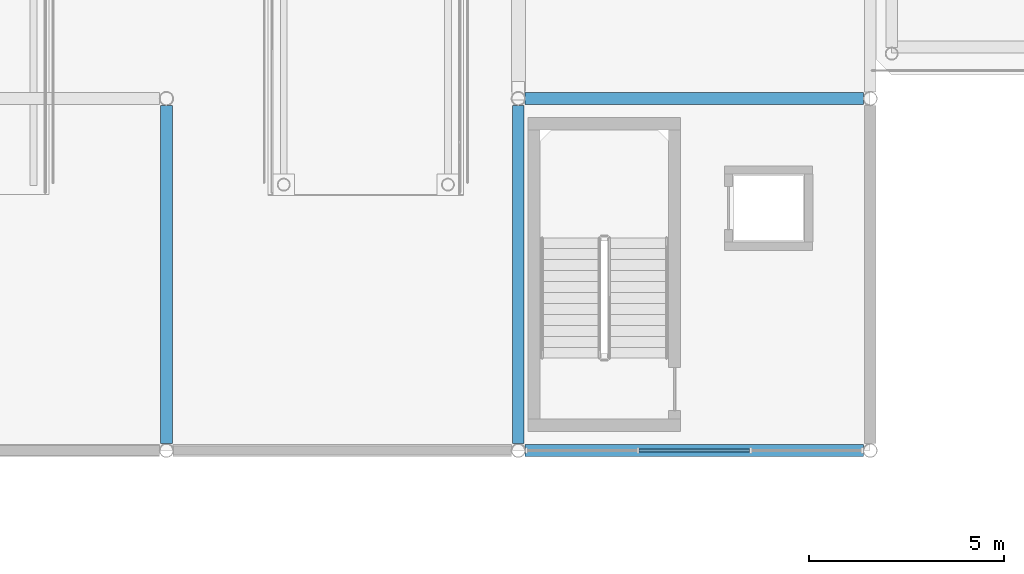
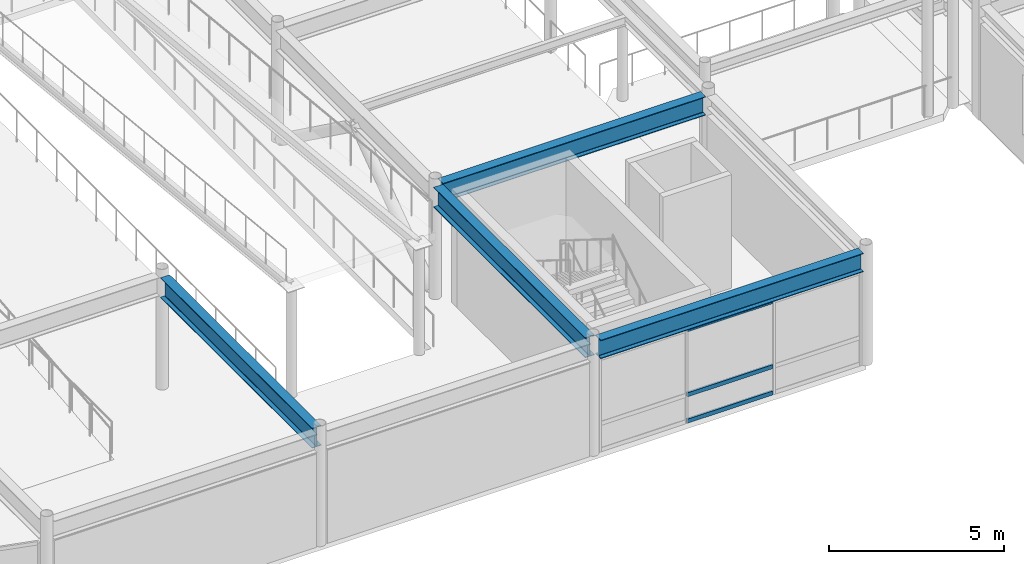
# One storey, part 17 of 70: 4 beams, 3 members, 1 element without a shape of its own.
"""IFC4 building model written with IfcOpenShell, lengths in metres."""

from ifc_helpers import new_model, si_unit, direction, frame, origin, origin_2d, place, context, subcontext, project, spatial, rectangle, i_section, extrude, material, material_profile, profile_set, type_object, element, aggregate, save


model = new_model("IFC4")

# Units and contexts
model_context = context("Model", 3, precision=1e-05, world=origin(), true_north=direction((0.0, 1.0)))
body_context = subcontext(model_context, "Body", "Model", "MODEL_VIEW")
ifc_project = project(units=[si_unit("LENGTHUNIT", "METRE"), si_unit("AREAUNIT", "SQUARE_METRE"), si_unit("VOLUMEUNIT", "CUBIC_METRE"), si_unit("PLANEANGLEUNIT", "RADIAN"), si_unit("MASSUNIT", "GRAM", prefix="KILO")], contexts=[model_context])

# Site, building, storey
site_placement = place(None, origin())
site = spatial("IfcSite", under=ifc_project, at=site_placement, CompositionType="ELEMENT")
building_placement = place(site_placement, origin())
building = spatial("IfcBuilding", under=site, at=building_placement, Name="Suzunagisa Mobility Hub", CompositionType="ELEMENT")
storey_placement = place(building_placement, frame((0.0, 0.0, 13.5)))
storey = spatial("IfcBuildingStorey", under=building, at=storey_placement, Name="L03", CompositionType="ELEMENT", Elevation=13.5)

# Curtain wall, members
ifc_material_1 = material(Name="Thermally Broken Anodized Aluminum and Low-E Glazing", Category="aluminium")
curtain_wall_type = type_object("IfcCurtainWallType", Name="Unitised Curtain Wall CW-13 8750x3200", PredefinedType="USERDEFINED", material=ifc_material_1)
curtain_wall_placement = place(storey_placement, origin())
curtain_wall = element("IfcCurtainWall", 1, at=curtain_wall_placement, inside=storey, type_object=curtain_wall_type, Name="L03 Unitised Curtain Wall CW-74", ObjectType="UNITISED CURTAIN WALL", PredefinedType="USERDEFINED")
ifc_material_2 = material(Name="Anodized Aluminum 6063-T6", Category="aluminium")
ifc_material_profile_1 = material_profile(ifc_material_2, rectangle(XDim=0.06494140625, YDim=0.139892578125, at=origin_2d()), Name="TRAN-65x140")
ifc_profile_set_1 = profile_set([ifc_material_profile_1], Name="Anodized Aluminum 6063-T6")
member_type = type_object("IfcMemberType", Name="Curtain Wall Framing CM-01 TRAN-65x140", PredefinedType="USERDEFINED", material=ifc_profile_set_1)
member_1_placement = place(storey_placement, frame((30.08740234375, 80.0, 0.032470703125), z_axis=(1.0, 0.0, 0.0), x_axis=(0.0, 1.0, 0.0)))
member_1 = element("IfcMember", 2, at=member_1_placement, type_object=member_type, Name="Curtain Wall Transom 74-T2.1", ObjectType="TRANSOM", PredefinedType="USERDEFINED", context=body_context, shape_type="SweptSolid", body=[
    extrude(rectangle(XDim=0.06494140625, YDim=0.139892578125, at=origin_2d()), origin(), (0.0, 0.0, 1.0), 2.8251953125),
])
member_2_placement = place(storey_placement, frame((30.08740234375, 80.0, 0.949951171875), z_axis=(1.0, 0.0, 0.0), x_axis=(0.0, 1.0, 0.0)))
member_2 = element("IfcMember", 3, at=member_2_placement, type_object=member_type, Name="Curtain Wall Transom 74-T2.2", ObjectType="TRANSOM", PredefinedType="USERDEFINED", context=body_context, shape_type="SweptSolid", body=[
    extrude(rectangle(XDim=0.06494140625, YDim=0.139892578125, at=origin_2d()), origin(), (0.0, 0.0, 1.0), 2.8251953125),
])
member_3_placement = place(storey_placement, frame((30.08740234375, 80.0, 3.217529296875), z_axis=(1.0, 0.0, 0.0), x_axis=(0.0, 1.0, 0.0)))
member_3 = element("IfcMember", 4, at=member_3_placement, type_object=member_type, Name="Curtain Wall Transom 74-T2.3", ObjectType="TRANSOM", PredefinedType="USERDEFINED", context=body_context, shape_type="SweptSolid", body=[
    extrude(rectangle(XDim=0.06494140625, YDim=0.139892578125, at=origin_2d()), origin(), (0.0, 0.0, 1.0), 2.8251953125),
])
aggregate(curtain_wall, [member_1, member_2, member_3])

# Beams
ifc_material_3 = material(Name="Steel SN490B", Category="steel")
ifc_material_profile_2 = material_profile(ifc_material_3, i_section(OverallWidth=0.300048828125, OverallDepth=0.64990234375, WebThickness=0.012939453125, FlangeThickness=0.02197265625, FilletRadius=0.01611328125, at=origin_2d()), Name="H-650x300x13x22")
ifc_profile_set_2 = profile_set([ifc_material_profile_2], Name="Steel SN490B")
beam_type_1 = type_object("IfcBeamType", Name="Steel Beam BM-10 H-650x300x13x22", PredefinedType="BEAM", material=ifc_profile_set_2)
for number, where, z_axis, x_axis, name in (
    (5, (27.173828125, 80.0, 3.625), (1.0, 0.0, 0.0), (0.0, 1.0, 0.0), "L03 Primary Girder GX-556"),
    (6, (27.173828125, 89.0, 3.625), (1.0, 0.0, 0.0), (0.0, 1.0, 0.0), "L03 Primary Girder GX-559"),
):
    element("IfcBeam", number, at=place(storey_placement, frame(where, z_axis=z_axis, x_axis=x_axis)), inside=storey, type_object=beam_type_1, Name=name, PredefinedType="BEAM", context=body_context, shape_type="SweptSolid", body=[
        extrude(i_section(OverallWidth=0.300048828125, OverallDepth=0.64990234375, WebThickness=0.012939453125, FlangeThickness=0.02197265625, FilletRadius=0.01611328125, at=origin_2d()), origin(), (0.0, 0.0, 1.0), 8.65234375),
    ])
ifc_material_profile_3 = material_profile(ifc_material_3, i_section(OverallWidth=0.300048828125, OverallDepth=0.699951171875, WebThickness=0.012939453125, FlangeThickness=0.02392578125, FilletRadius=0.01806640625, at=origin_2d()), Name="H-700x300x13x24")
ifc_profile_set_3 = profile_set([ifc_material_profile_3], Name="Steel SN490B")
beam_type_2 = type_object("IfcBeamType", Name="Steel Beam BM-11 H-700x300x13x24", PredefinedType="BEAM", material=ifc_profile_set_3)
for number, where, z_axis, x_axis, name in (
    (7, (18.0, 80.173828125, 3.60009765625), (0.0, 1.0, 0.0), (-1.0, 0.0, 0.0), "L03 Primary Girder GY-573"),
    (8, (27.0, 80.173828125, 3.60009765625), (0.0, 1.0, 0.0), (-1.0, 0.0, 0.0), "L03 Primary Girder GY-574"),
):
    element("IfcBeam", number, at=place(storey_placement, frame(where, z_axis=z_axis, x_axis=x_axis)), inside=storey, type_object=beam_type_2, Name=name, PredefinedType="BEAM", context=body_context, shape_type="SweptSolid", body=[
        extrude(i_section(OverallWidth=0.300048828125, OverallDepth=0.699951171875, WebThickness=0.012939453125, FlangeThickness=0.02392578125, FilletRadius=0.01806640625, at=origin_2d()), origin(), (0.0, 0.0, 1.0), 8.65234375),
    ])

save(model, "model.ifc")
